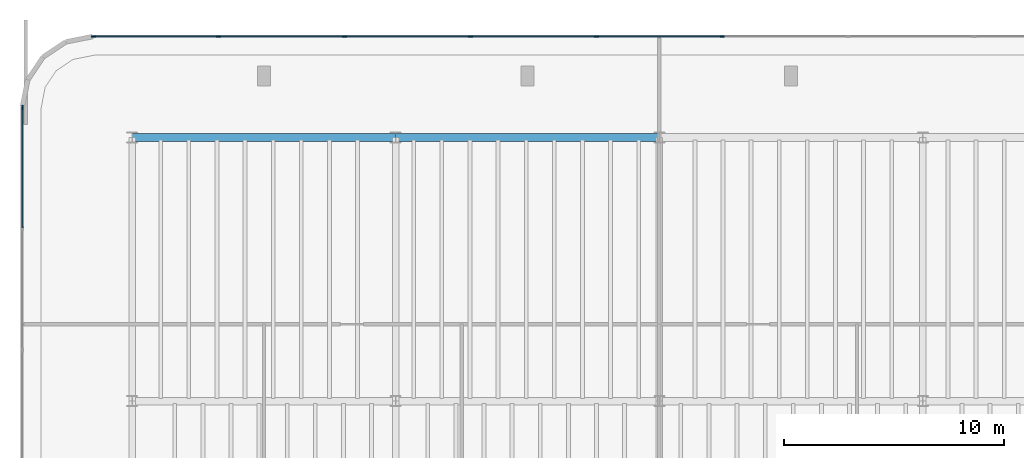
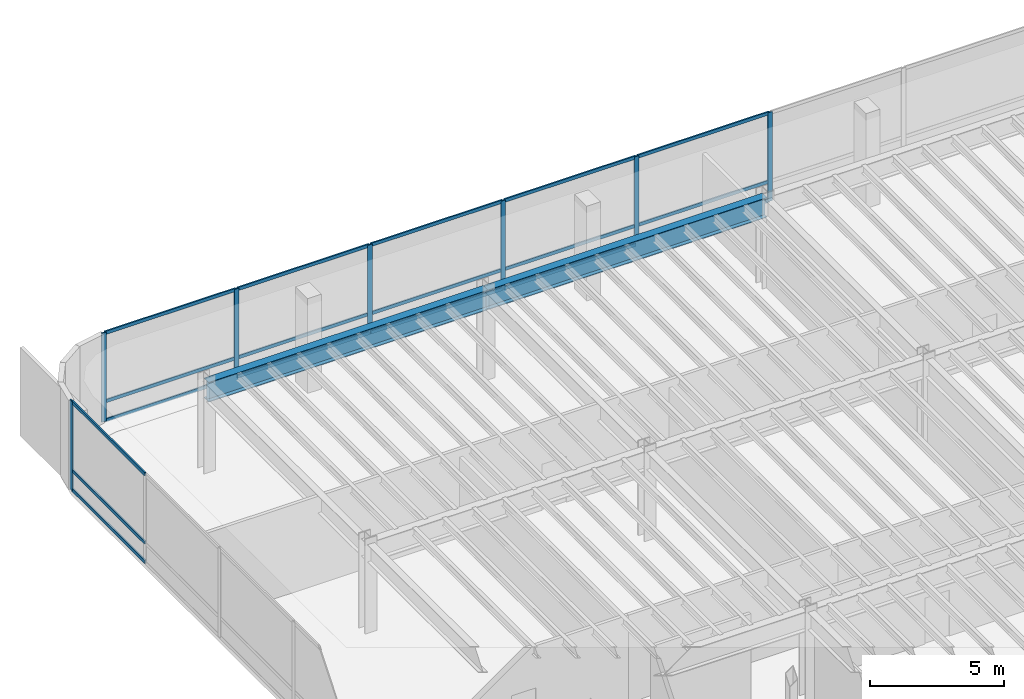
# One storey, part 8 of 18: 25 members, 2 beams, 2 elements without a shape of their own.
"""IFC4 building model written with IfcOpenShell, lengths in metres."""

from ifc_helpers import new_model, si_unit, direction, frame, origin, origin_2d, place, context, subcontext, project, spatial, rectangle, i_section, extrude, source, transform, mapped, material, layer, layer_set, material_profile, profile_set, type_object, element, aggregate, save


model = new_model("IFC4")

# Units and contexts
model_context = context("Model", 3, precision=1e-05, world=origin(), true_north=direction((0.0, 1.0)))
body_context = subcontext(model_context, "Body", "Model", "MODEL_VIEW")
ifc_project = project(units=[si_unit("LENGTHUNIT", "METRE"), si_unit("AREAUNIT", "SQUARE_METRE"), si_unit("VOLUMEUNIT", "CUBIC_METRE"), si_unit("PLANEANGLEUNIT", "RADIAN"), si_unit("MASSUNIT", "GRAM", prefix="KILO")], contexts=[model_context])

# Site, building, storey
site_placement = place(None, origin())
site = spatial("IfcSite", under=ifc_project, at=site_placement, CompositionType="ELEMENT")
building_placement = place(site_placement, origin())
building = spatial("IfcBuilding", under=site, at=building_placement, Name="Brelvock Crest Care Tower", CompositionType="ELEMENT")
storey_placement = place(building_placement, frame((0.0, 0.0, 5.39990234375)))
storey = spatial("IfcBuildingStorey", under=building, at=storey_placement, Name="L01", CompositionType="ELEMENT", Elevation=5.39990234375)

# Beams
ifc_material_1 = material(Name="Steel Grade 350", Category="steel")
ifc_material_profile_1 = material_profile(ifc_material_1, i_section(OverallWidth=0.35009765625, OverallDepth=0.89990234375, WebThickness=0.01611328125, FlangeThickness=0.028076171875, at=origin_2d()), Name="900WB257")
ifc_profile_set_1 = profile_set([ifc_material_profile_1], Name="Steel Grade 350")
beam_type = type_object("IfcBeamType", Name="BM-G6", PredefinedType="BEAM", material=ifc_profile_set_1)
shared_shape_1 = source(origin(), body_context, "Body", "SweptSolid", [
    extrude(i_section(OverallWidth=0.35009765625, OverallDepth=0.89990234375, WebThickness=0.01611328125, FlangeThickness=0.028076171875, at=origin_2d()), origin(), (0.0, 0.0, 1.0), 12.0),
])
for number, where, z_axis, x_axis, name in (
    (1, (12.0, 54.0, 3.590087890625), (1.0, 0.0, 0.0), (0.0, 1.0, 0.0), "BM-PODX-L01-54-12"),
    (2, (24.0, 54.0, 3.590087890625), (1.0, 0.0, 0.0), (0.0, 1.0, 0.0), "BM-PODX-L01-54-24"),
):
    element("IfcBeam", number, at=place(storey_placement, frame(where, z_axis=z_axis, x_axis=x_axis)), inside=storey, type_object=beam_type, Name=name, PredefinedType="BEAM", context=body_context, shape_type="MappedRepresentation", body=[
        mapped(shared_shape_1, transform((0.0, 0.0, 0.0), x_axis=(1.0, 0.0, 0.0), y_axis=(0.0, 1.0, 0.0), z_axis=(0.0, 0.0, 1.0), scale=1.0)),
    ])

# Curtain wall, member
ifc_material_2 = material(Name="Dark Glass Double Glazed Low-E", Category="glass")
ifc_layer = layer(ifc_material_2, 0.179931640625, Name="CWS-1")
ifc_layer_set = layer_set([ifc_layer], Name="Dark Glass Double Glazed Low-E")
curtain_wall_type = type_object("IfcCurtainWallType", Name="CWS-1", PredefinedType="NOTDEFINED", material=ifc_layer_set)
curtain_wall_1_placement = place(storey_placement, origin())
curtain_wall_1 = element("IfcCurtainWall", 3, at=curtain_wall_1_placement, inside=storey, type_object=curtain_wall_type, Name="L01 Curtain Wall E04", PredefinedType="NOTDEFINED")
ifc_material_3 = material(Name="Aluminium 6063-T6", Category="aluminium")
ifc_material_profile_2 = material_profile(ifc_material_3, rectangle(XDim=0.06494140625, YDim=0.199951171875, at=origin_2d()), Name="ALU65x200")
ifc_profile_set_2 = profile_set([ifc_material_profile_2], Name="Aluminium 6063-T6")
member_type_1 = type_object("IfcMemberType", Name="CWM-1", PredefinedType="MULLION", material=ifc_profile_set_2)
shared_shape_2 = source(origin(), body_context, "Body", "SweptSolid", [
    extrude(rectangle(XDim=0.06494140625, YDim=0.199951171875, at=origin_2d()), origin(), (0.0, 0.0, 1.0), 4.0400390625),
])
member_1_placement = place(storey_placement, frame((7.0, 55.367431640625, 0.0), z_axis=(0.0, 0.0, 1.0), x_axis=(-1.0, 0.0, 0.0)))
member_1 = element("IfcMember", 4, at=member_1_placement, type_object=member_type_1, Name="CW-1 mullion 10", PredefinedType="MULLION", context=body_context, shape_type="MappedRepresentation", body=[
    mapped(shared_shape_2, transform((0.0, 0.0, 0.0), x_axis=(1.0, 0.0, 0.0), y_axis=(0.0, 1.0, 0.0), z_axis=(0.0, 0.0, 1.0), scale=1.0)),
])

# Curtain wall, members
curtain_wall_2_placement = place(storey_placement, origin())
curtain_wall_2 = element("IfcCurtainWall", 5, at=curtain_wall_2_placement, inside=storey, type_object=curtain_wall_type, Name="L01 Curtain Wall E09", PredefinedType="NOTDEFINED")
member_2_placement = place(storey_placement, frame((10.232421875, 58.60009765625, 0.0), z_axis=(0.0, 0.0, 1.0), x_axis=(0.0, 1.0, 0.0)))
member_2 = element("IfcMember", 6, at=member_2_placement, type_object=member_type_1, Name="CW-1 mullion 1", PredefinedType="MULLION", context=body_context, shape_type="MappedRepresentation", body=[
    mapped(shared_shape_2, transform((0.0, 0.0, 0.0), x_axis=(1.0, 0.0, 0.0), y_axis=(0.0, 1.0, 0.0), z_axis=(0.0, 0.0, 1.0), scale=1.0)),
])
member_3_placement = place(storey_placement, frame((15.933349609375, 58.60009765625, 0.0), z_axis=(0.0, 0.0, 1.0), x_axis=(0.0, 1.0, 0.0)))
member_3 = element("IfcMember", 7, at=member_3_placement, type_object=member_type_1, Name="CW-1 mullion 2", PredefinedType="MULLION", context=body_context, shape_type="MappedRepresentation", body=[
    mapped(shared_shape_2, transform((0.0, 0.0, 0.0), x_axis=(1.0, 0.0, 0.0), y_axis=(0.0, 1.0, 0.0), z_axis=(0.0, 0.0, 1.0), scale=1.0)),
])
member_4_placement = place(storey_placement, frame((21.666748046875, 58.60009765625, 0.0), z_axis=(0.0, 0.0, 1.0), x_axis=(0.0, 1.0, 0.0)))
member_4 = element("IfcMember", 8, at=member_4_placement, type_object=member_type_1, Name="CW-1 mullion 3", PredefinedType="MULLION", context=body_context, shape_type="MappedRepresentation", body=[
    mapped(shared_shape_2, transform((0.0, 0.0, 0.0), x_axis=(1.0, 0.0, 0.0), y_axis=(0.0, 1.0, 0.0), z_axis=(0.0, 0.0, 1.0), scale=1.0)),
])
member_5_placement = place(storey_placement, frame((27.39990234375, 58.60009765625, 0.0), z_axis=(0.0, 0.0, 1.0), x_axis=(0.0, 1.0, 0.0)))
member_5 = element("IfcMember", 9, at=member_5_placement, type_object=member_type_1, Name="CW-1 mullion 4", PredefinedType="MULLION", context=body_context, shape_type="MappedRepresentation", body=[
    mapped(shared_shape_2, transform((0.0, 0.0, 0.0), x_axis=(1.0, 0.0, 0.0), y_axis=(0.0, 1.0, 0.0), z_axis=(0.0, 0.0, 1.0), scale=1.0)),
])
member_6_placement = place(storey_placement, frame((33.13330078125, 58.60009765625, 0.0), z_axis=(0.0, 0.0, 1.0), x_axis=(0.0, 1.0, 0.0)))
member_6 = element("IfcMember", 10, at=member_6_placement, type_object=member_type_1, Name="CW-1 mullion 5", PredefinedType="MULLION", context=body_context, shape_type="MappedRepresentation", body=[
    mapped(shared_shape_2, transform((0.0, 0.0, 0.0), x_axis=(1.0, 0.0, 0.0), y_axis=(0.0, 1.0, 0.0), z_axis=(0.0, 0.0, 1.0), scale=1.0)),
])
member_7_placement = place(storey_placement, frame((38.86669921875, 58.60009765625, 0.0), z_axis=(0.0, 0.0, 1.0), x_axis=(0.0, 1.0, 0.0)))
member_7 = element("IfcMember", 11, at=member_7_placement, type_object=member_type_1, Name="CW-1 mullion 6", PredefinedType="MULLION", context=body_context, shape_type="MappedRepresentation", body=[
    mapped(shared_shape_2, transform((0.0, 0.0, 0.0), x_axis=(1.0, 0.0, 0.0), y_axis=(0.0, 1.0, 0.0), z_axis=(0.0, 0.0, 1.0), scale=1.0)),
])

# Member
ifc_material_profile_3 = material_profile(ifc_material_3, rectangle(XDim=0.06494140625, YDim=0.14990234375, at=origin_2d()), Name="ALU65x150")
ifc_profile_set_3 = profile_set([ifc_material_profile_3], Name="Aluminium 6063-T6")
member_type_2 = type_object("IfcMemberType", Name="CWT-1", PredefinedType="USERDEFINED", material=ifc_profile_set_3)
shared_shape_3 = source(origin(), body_context, "Body", "SweptSolid", [
    extrude(rectangle(XDim=0.06494140625, YDim=0.14990234375, at=origin_2d()), origin(), (0.0, 0.0, 1.0), 5.435791015625),
])
member_8_placement = place(storey_placement, frame((7.0, 49.899169921875, 0.03271484375), z_axis=(0.0, 1.0, 0.0), x_axis=(-1.0, 0.0, 0.0)))
member_8 = element("IfcMember", 12, at=member_8_placement, type_object=member_type_2, Name="CW-1 transom 9.1", ObjectType="TRANSOM", PredefinedType="USERDEFINED", context=body_context, shape_type="MappedRepresentation", body=[
    mapped(shared_shape_3, transform((0.0, 0.0, 0.0), x_axis=(1.0, 0.0, 0.0), y_axis=(0.0, 1.0, 0.0), z_axis=(0.0, 0.0, 1.0), scale=1.0)),
])

member_9_placement = place(storey_placement, frame((7.0, 49.899169921875, 0.900146484375), z_axis=(0.0, 1.0, 0.0), x_axis=(-1.0, 0.0, 0.0)))
member_9 = element("IfcMember", 13, at=member_9_placement, type_object=member_type_2, Name="CW-1 transom 9.2", ObjectType="TRANSOM", PredefinedType="USERDEFINED", context=body_context, shape_type="MappedRepresentation", body=[
    mapped(shared_shape_3, transform((0.0, 0.0, 0.0), x_axis=(1.0, 0.0, 0.0), y_axis=(0.0, 1.0, 0.0), z_axis=(0.0, 0.0, 1.0), scale=1.0)),
])

member_10_placement = place(storey_placement, frame((7.0, 49.899169921875, 4.007568359375), z_axis=(0.0, 1.0, 0.0), x_axis=(-1.0, 0.0, 0.0)))
member_10 = element("IfcMember", 14, at=member_10_placement, type_object=member_type_2, Name="CW-1 transom 9.3", ObjectType="TRANSOM", PredefinedType="USERDEFINED", context=body_context, shape_type="MappedRepresentation", body=[
    mapped(shared_shape_3, transform((0.0, 0.0, 0.0), x_axis=(1.0, 0.0, 0.0), y_axis=(0.0, 1.0, 0.0), z_axis=(0.0, 0.0, 1.0), scale=1.0)),
])

aggregate(curtain_wall_1, [member_1, member_8, member_9, member_10])

shared_shape_4 = source(origin(), body_context, "Body", "SweptSolid", [
    extrude(rectangle(XDim=0.06494140625, YDim=0.14990234375, at=origin_2d()), origin(), (0.0, 0.0, 1.0), 5.635986328125),
])
member_11_placement = place(storey_placement, frame((10.264892578125, 58.60009765625, 0.03271484375), z_axis=(1.0, 0.0, 0.0), x_axis=(0.0, 1.0, 0.0)))
member_11 = element("IfcMember", 15, at=member_11_placement, type_object=member_type_2, Name="CW-1 transom 1.1", ObjectType="TRANSOM", PredefinedType="USERDEFINED", context=body_context, shape_type="MappedRepresentation", body=[
    mapped(shared_shape_4, transform((0.0, 0.0, 0.0), x_axis=(1.0, 0.0, 0.0), y_axis=(0.0, 1.0, 0.0), z_axis=(0.0, 0.0, 1.0), scale=1.0)),
])

member_12_placement = place(storey_placement, frame((10.264892578125, 58.60009765625, 0.900146484375), z_axis=(1.0, 0.0, 0.0), x_axis=(0.0, 1.0, 0.0)))
member_12 = element("IfcMember", 16, at=member_12_placement, type_object=member_type_2, Name="CW-1 transom 1.2", ObjectType="TRANSOM", PredefinedType="USERDEFINED", context=body_context, shape_type="MappedRepresentation", body=[
    mapped(shared_shape_4, transform((0.0, 0.0, 0.0), x_axis=(1.0, 0.0, 0.0), y_axis=(0.0, 1.0, 0.0), z_axis=(0.0, 0.0, 1.0), scale=1.0)),
])

member_13_placement = place(storey_placement, frame((10.264892578125, 58.60009765625, 4.007568359375), z_axis=(1.0, 0.0, 0.0), x_axis=(0.0, 1.0, 0.0)))
member_13 = element("IfcMember", 17, at=member_13_placement, type_object=member_type_2, Name="CW-1 transom 1.3", ObjectType="TRANSOM", PredefinedType="USERDEFINED", context=body_context, shape_type="MappedRepresentation", body=[
    mapped(shared_shape_4, transform((0.0, 0.0, 0.0), x_axis=(1.0, 0.0, 0.0), y_axis=(0.0, 1.0, 0.0), z_axis=(0.0, 0.0, 1.0), scale=1.0)),
])

shared_shape_5 = source(origin(), body_context, "Body", "SweptSolid", [
    extrude(rectangle(XDim=0.06494140625, YDim=0.14990234375, at=origin_2d()), origin(), (0.0, 0.0, 1.0), 5.66845703125),
])
member_14_placement = place(storey_placement, frame((15.9658203125, 58.60009765625, 0.03271484375), z_axis=(1.0, 0.0, 0.0), x_axis=(0.0, 1.0, 0.0)))
member_14 = element("IfcMember", 18, at=member_14_placement, type_object=member_type_2, Name="CW-1 transom 2.1", ObjectType="TRANSOM", PredefinedType="USERDEFINED", context=body_context, shape_type="MappedRepresentation", body=[
    mapped(shared_shape_5, transform((0.0, 0.0, 0.0), x_axis=(1.0, 0.0, 0.0), y_axis=(0.0, 1.0, 0.0), z_axis=(0.0, 0.0, 1.0), scale=1.0)),
])

member_15_placement = place(storey_placement, frame((15.9658203125, 58.60009765625, 0.900146484375), z_axis=(1.0, 0.0, 0.0), x_axis=(0.0, 1.0, 0.0)))
member_15 = element("IfcMember", 19, at=member_15_placement, type_object=member_type_2, Name="CW-1 transom 2.2", ObjectType="TRANSOM", PredefinedType="USERDEFINED", context=body_context, shape_type="MappedRepresentation", body=[
    mapped(shared_shape_5, transform((0.0, 0.0, 0.0), x_axis=(1.0, 0.0, 0.0), y_axis=(0.0, 1.0, 0.0), z_axis=(0.0, 0.0, 1.0), scale=1.0)),
])

member_16_placement = place(storey_placement, frame((15.9658203125, 58.60009765625, 4.007568359375), z_axis=(1.0, 0.0, 0.0), x_axis=(0.0, 1.0, 0.0)))
member_16 = element("IfcMember", 20, at=member_16_placement, type_object=member_type_2, Name="CW-1 transom 2.3", ObjectType="TRANSOM", PredefinedType="USERDEFINED", context=body_context, shape_type="MappedRepresentation", body=[
    mapped(shared_shape_5, transform((0.0, 0.0, 0.0), x_axis=(1.0, 0.0, 0.0), y_axis=(0.0, 1.0, 0.0), z_axis=(0.0, 0.0, 1.0), scale=1.0)),
])

member_17_placement = place(storey_placement, frame((33.165771484375, 58.60009765625, 0.03271484375), z_axis=(1.0, 0.0, 0.0), x_axis=(0.0, 1.0, 0.0)))
member_17 = element("IfcMember", 21, at=member_17_placement, type_object=member_type_2, Name="CW-1 transom 5.1", ObjectType="TRANSOM", PredefinedType="USERDEFINED", context=body_context, shape_type="MappedRepresentation", body=[
    mapped(shared_shape_5, transform((0.0, 0.0, 0.0), x_axis=(1.0, 0.0, 0.0), y_axis=(0.0, 1.0, 0.0), z_axis=(0.0, 0.0, 1.0), scale=1.0)),
])

member_18_placement = place(storey_placement, frame((33.165771484375, 58.60009765625, 0.900146484375), z_axis=(1.0, 0.0, 0.0), x_axis=(0.0, 1.0, 0.0)))
member_18 = element("IfcMember", 22, at=member_18_placement, type_object=member_type_2, Name="CW-1 transom 5.2", ObjectType="TRANSOM", PredefinedType="USERDEFINED", context=body_context, shape_type="MappedRepresentation", body=[
    mapped(shared_shape_5, transform((0.0, 0.0, 0.0), x_axis=(1.0, 0.0, 0.0), y_axis=(0.0, 1.0, 0.0), z_axis=(0.0, 0.0, 1.0), scale=1.0)),
])

member_19_placement = place(storey_placement, frame((33.165771484375, 58.60009765625, 4.007568359375), z_axis=(1.0, 0.0, 0.0), x_axis=(0.0, 1.0, 0.0)))
member_19 = element("IfcMember", 23, at=member_19_placement, type_object=member_type_2, Name="CW-1 transom 5.3", ObjectType="TRANSOM", PredefinedType="USERDEFINED", context=body_context, shape_type="MappedRepresentation", body=[
    mapped(shared_shape_5, transform((0.0, 0.0, 0.0), x_axis=(1.0, 0.0, 0.0), y_axis=(0.0, 1.0, 0.0), z_axis=(0.0, 0.0, 1.0), scale=1.0)),
])

shared_shape_6 = source(origin(), body_context, "Body", "SweptSolid", [
    extrude(rectangle(XDim=0.06494140625, YDim=0.14990234375, at=origin_2d()), origin(), (0.0, 0.0, 1.0), 5.668212890625),
])
member_20_placement = place(storey_placement, frame((21.69921875, 58.60009765625, 0.03271484375), z_axis=(1.0, 0.0, 0.0), x_axis=(0.0, 1.0, 0.0)))
member_20 = element("IfcMember", 24, at=member_20_placement, type_object=member_type_2, Name="CW-1 transom 3.1", ObjectType="TRANSOM", PredefinedType="USERDEFINED", context=body_context, shape_type="MappedRepresentation", body=[
    mapped(shared_shape_6, transform((0.0, 0.0, 0.0), x_axis=(1.0, 0.0, 0.0), y_axis=(0.0, 1.0, 0.0), z_axis=(0.0, 0.0, 1.0), scale=1.0)),
])

member_21_placement = place(storey_placement, frame((21.69921875, 58.60009765625, 0.900146484375), z_axis=(1.0, 0.0, 0.0), x_axis=(0.0, 1.0, 0.0)))
member_21 = element("IfcMember", 25, at=member_21_placement, type_object=member_type_2, Name="CW-1 transom 3.2", ObjectType="TRANSOM", PredefinedType="USERDEFINED", context=body_context, shape_type="MappedRepresentation", body=[
    mapped(shared_shape_6, transform((0.0, 0.0, 0.0), x_axis=(1.0, 0.0, 0.0), y_axis=(0.0, 1.0, 0.0), z_axis=(0.0, 0.0, 1.0), scale=1.0)),
])

member_22_placement = place(storey_placement, frame((21.69921875, 58.60009765625, 4.007568359375), z_axis=(1.0, 0.0, 0.0), x_axis=(0.0, 1.0, 0.0)))
member_22 = element("IfcMember", 26, at=member_22_placement, type_object=member_type_2, Name="CW-1 transom 3.3", ObjectType="TRANSOM", PredefinedType="USERDEFINED", context=body_context, shape_type="MappedRepresentation", body=[
    mapped(shared_shape_6, transform((0.0, 0.0, 0.0), x_axis=(1.0, 0.0, 0.0), y_axis=(0.0, 1.0, 0.0), z_axis=(0.0, 0.0, 1.0), scale=1.0)),
])

member_23_placement = place(storey_placement, frame((27.4326171875, 58.60009765625, 0.03271484375), z_axis=(1.0, 0.0, 0.0), x_axis=(0.0, 1.0, 0.0)))
member_23 = element("IfcMember", 27, at=member_23_placement, type_object=member_type_2, Name="CW-1 transom 4.1", ObjectType="TRANSOM", PredefinedType="USERDEFINED", context=body_context, shape_type="MappedRepresentation", body=[
    mapped(shared_shape_6, transform((0.0, 0.0, 0.0), x_axis=(1.0, 0.0, 0.0), y_axis=(0.0, 1.0, 0.0), z_axis=(0.0, 0.0, 1.0), scale=1.0)),
])

member_24_placement = place(storey_placement, frame((27.4326171875, 58.60009765625, 0.900146484375), z_axis=(1.0, 0.0, 0.0), x_axis=(0.0, 1.0, 0.0)))
member_24 = element("IfcMember", 28, at=member_24_placement, type_object=member_type_2, Name="CW-1 transom 4.2", ObjectType="TRANSOM", PredefinedType="USERDEFINED", context=body_context, shape_type="MappedRepresentation", body=[
    mapped(shared_shape_6, transform((0.0, 0.0, 0.0), x_axis=(1.0, 0.0, 0.0), y_axis=(0.0, 1.0, 0.0), z_axis=(0.0, 0.0, 1.0), scale=1.0)),
])

member_25_placement = place(storey_placement, frame((27.4326171875, 58.60009765625, 4.007568359375), z_axis=(1.0, 0.0, 0.0), x_axis=(0.0, 1.0, 0.0)))
member_25 = element("IfcMember", 29, at=member_25_placement, type_object=member_type_2, Name="CW-1 transom 4.3", ObjectType="TRANSOM", PredefinedType="USERDEFINED", context=body_context, shape_type="MappedRepresentation", body=[
    mapped(shared_shape_6, transform((0.0, 0.0, 0.0), x_axis=(1.0, 0.0, 0.0), y_axis=(0.0, 1.0, 0.0), z_axis=(0.0, 0.0, 1.0), scale=1.0)),
])

aggregate(curtain_wall_2, [member_2, member_3, member_4, member_5, member_6, member_7, member_11, member_12, member_13, member_14, member_15, member_16, member_20, member_21, member_22, member_23, member_24, member_25, member_17, member_18, member_19])

save(model, "model.ifc")
